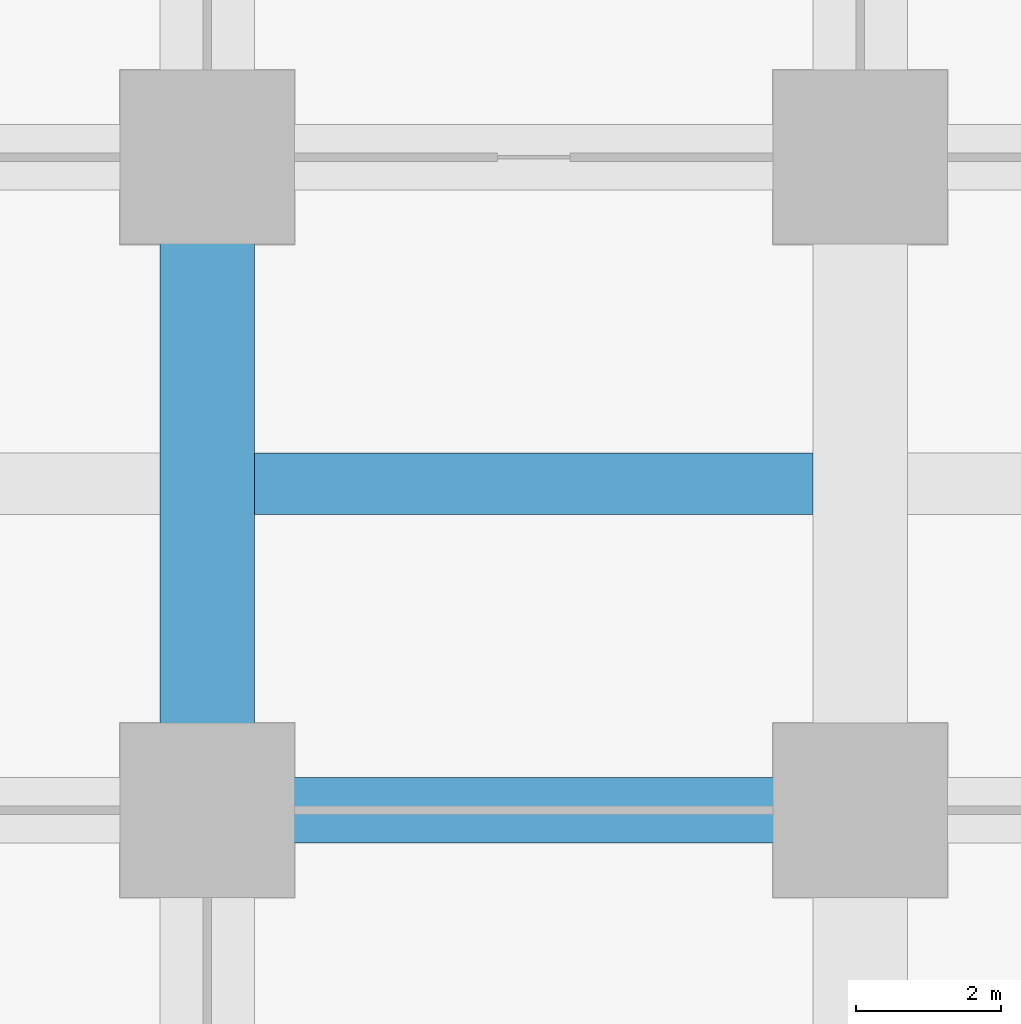
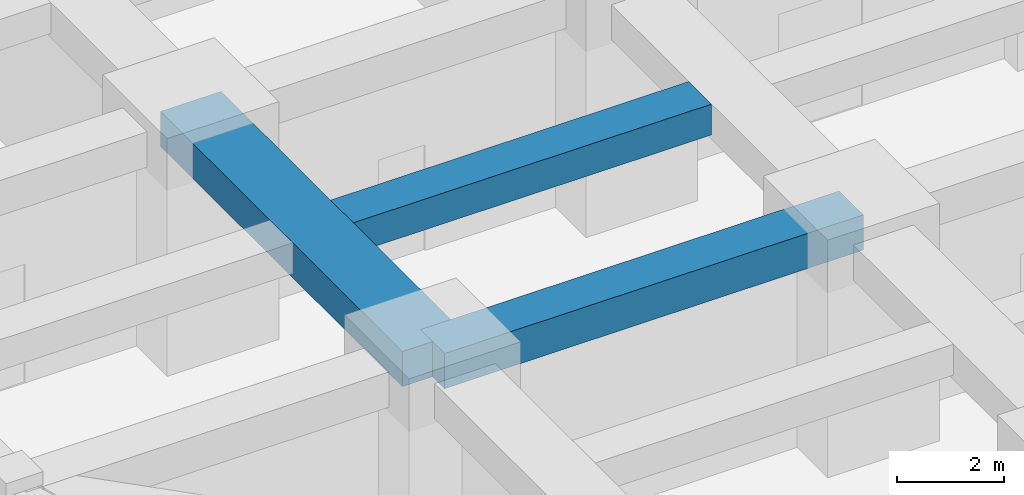
# One storey, part 5 of 56: 3 beams.
"""IFC4 building model written with IfcOpenShell, lengths in metres."""

from ifc_helpers import new_model, si_unit, direction, frame, origin, origin_2d, place, context, subcontext, project, spatial, rectangle, extrude, material, material_profile, profile_set, type_object, element, save


model = new_model("IFC4")

# Units and contexts
model_context = context("Model", 3, precision=1e-05, world=origin(), true_north=direction((0.0, 1.0)))
body_context = subcontext(model_context, "Body", "Model", "MODEL_VIEW")
ifc_project = project(units=[si_unit("LENGTHUNIT", "METRE"), si_unit("AREAUNIT", "SQUARE_METRE"), si_unit("VOLUMEUNIT", "CUBIC_METRE"), si_unit("PLANEANGLEUNIT", "RADIAN"), si_unit("MASSUNIT", "GRAM", prefix="KILO")], contexts=[model_context])

# Site, building, storey
site_placement = place(None, origin())
site = spatial("IfcSite", under=ifc_project, at=site_placement, CompositionType="ELEMENT")
building_placement = place(site_placement, origin())
building = spatial("IfcBuilding", under=site, at=building_placement, Name="Zorevar Civic Tower", CompositionType="ELEMENT")
storey_placement = place(building_placement, origin())
storey = spatial("IfcBuildingStorey", under=building, at=storey_placement, Name="L00", CompositionType="ELEMENT", Elevation=0.0)

# Beams
ifc_material_1 = material(Name="Concrete C50/60", Category="concrete")
ifc_material_profile_1 = material_profile(ifc_material_1, rectangle(XDim=1.300048828125, YDim=0.800048828125, at=origin_2d()), Name="RC 1300x800")
ifc_profile_set_1 = profile_set([ifc_material_profile_1], Name="Concrete C50/60")
beam_type_1 = type_object("IfcBeamType", Name="Beam RC 1300x800", PredefinedType="BEAM", material=ifc_profile_set_1)
beam_1_placement = place(storey_placement, frame((0.0, 9.0, 4.699951171875), z_axis=(0.0, 1.0, 0.0), x_axis=(-1.0, 0.0, 0.0)))
element("IfcBeam", 1, at=beam_1_placement, inside=storey, type_object=beam_type_1, Name="Girder L01", PredefinedType="BEAM", context=body_context, shape_type="SweptSolid", body=[
    extrude(rectangle(XDim=1.300048828125, YDim=0.800048828125, at=origin_2d()), origin(), (0.0, 0.0, 1.0), 9.0),
])
ifc_material_2 = material(Name="Concrete C50/60", Category="concrete")
ifc_material_profile_2 = material_profile(ifc_material_2, rectangle(XDim=0.85009765625, YDim=0.699951171875, at=origin_2d()), Name="RC 850x700")
ifc_profile_set_2 = profile_set([ifc_material_profile_2], Name="Concrete C50/60")
beam_type_2 = type_object("IfcBeamType", Name="Beam RC 850x700", PredefinedType="BEAM", material=ifc_profile_set_2)
beam_2_placement = place(storey_placement, frame((0.64990234375, 13.5, 4.75), z_axis=(1.0, 0.0, 0.0), x_axis=(0.0, 1.0, 0.0)))
element("IfcBeam", 2, at=beam_2_placement, inside=storey, type_object=beam_type_2, Name="Secondary beam L01", PredefinedType="BEAM", context=body_context, shape_type="SweptSolid", body=[
    extrude(rectangle(XDim=0.85009765625, YDim=0.699951171875, at=origin_2d()), origin(), (0.0, 0.0, 1.0), 7.7001953125),
])
ifc_material_3 = material(Name="Concrete C50/60", Category="concrete")
ifc_material_profile_3 = material_profile(ifc_material_3, rectangle(XDim=0.89990234375, YDim=0.800048828125, at=origin_2d()), Name="RC 900x800")
ifc_profile_set_3 = profile_set([ifc_material_profile_3], Name="Concrete C50/60")
beam_type_3 = type_object("IfcBeamType", Name="Beam RC 900x800", PredefinedType="BEAM", material=ifc_profile_set_3)
beam_3_placement = place(storey_placement, frame((0.0, 9.0, 4.699951171875), z_axis=(1.0, 0.0, 0.0), x_axis=(0.0, 1.0, 0.0)))
element("IfcBeam", 3, at=beam_3_placement, inside=storey, type_object=beam_type_3, Name="Girder L01", PredefinedType="BEAM", context=body_context, shape_type="SweptSolid", body=[
    extrude(rectangle(XDim=0.89990234375, YDim=0.800048828125, at=origin_2d()), origin(), (0.0, 0.0, 1.0), 9.0),
])

save(model, "model.ifc")
